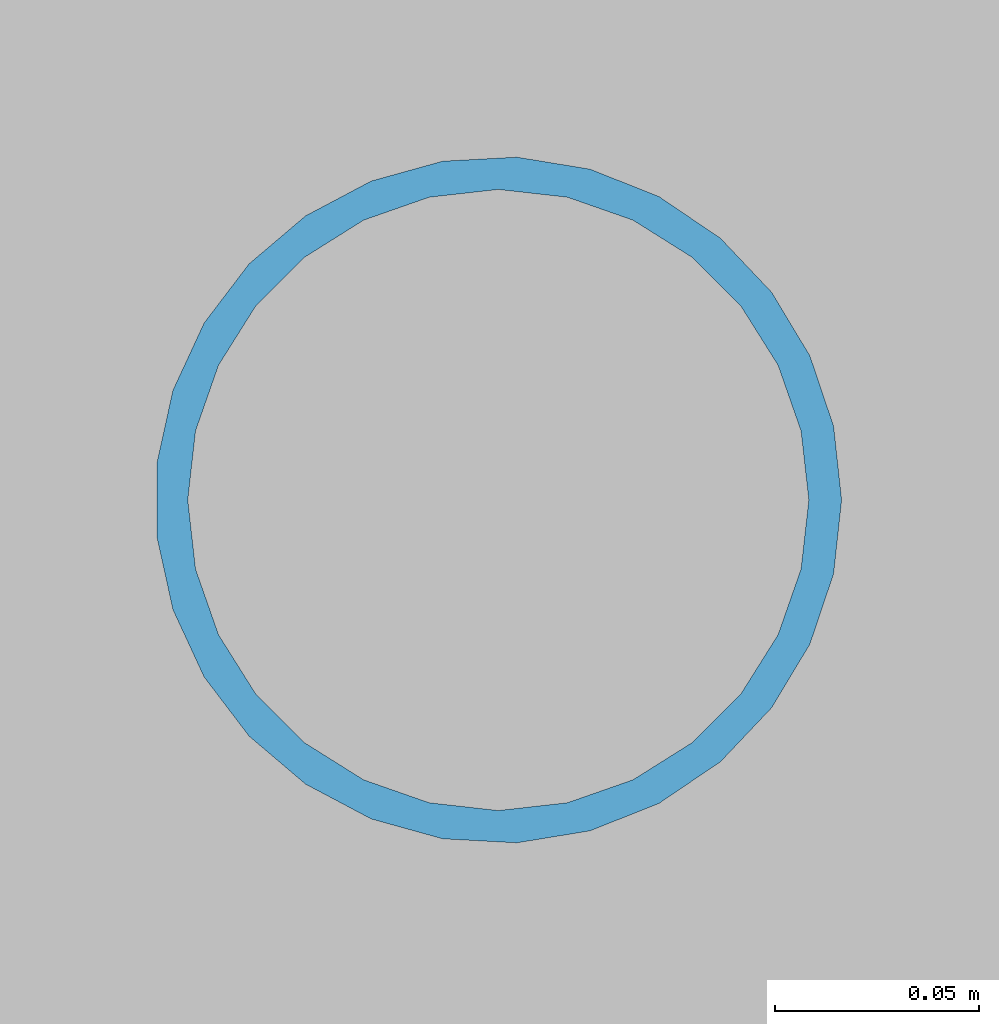
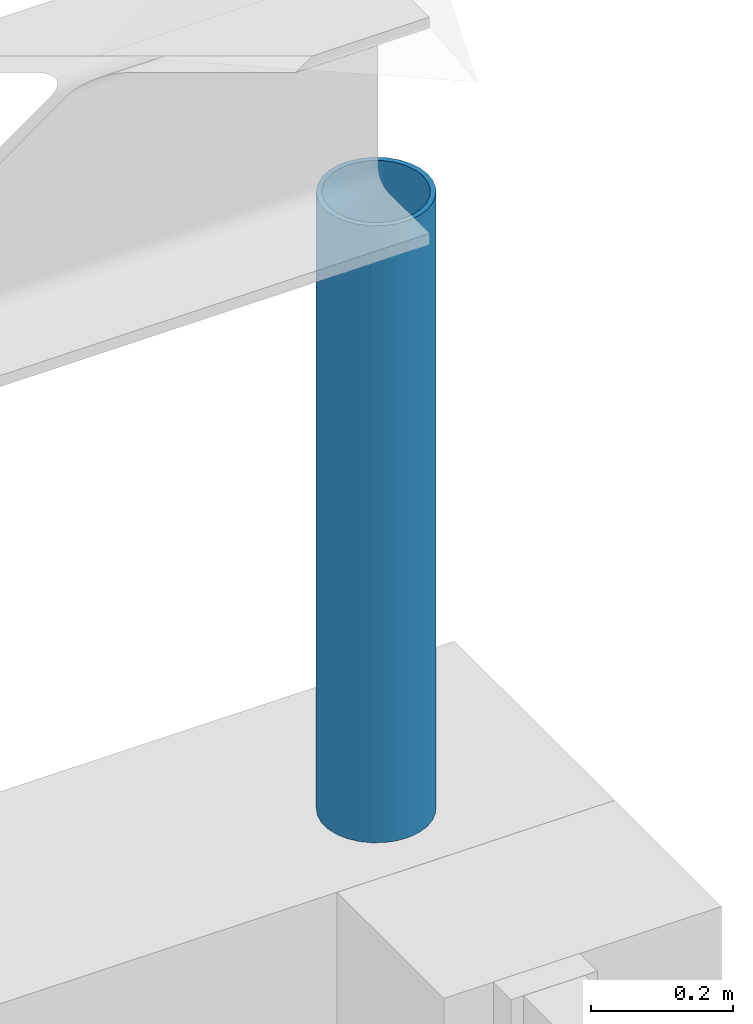
# One storey, part 11 of 94: 1 column.
"""IFC4 building model written with IfcOpenShell, lengths in metres."""

from ifc_helpers import new_model, si_unit, direction, frame, origin, origin_2d, place, context, subcontext, project, spatial, hollow_circle, extrude, material, material_profile, profile_set, type_object, element, save


model = new_model("IFC4")

# Units and contexts
model_context = context("Model", 3, precision=1e-05, world=origin(), true_north=direction((0.0, 1.0)))
body_context = subcontext(model_context, "Body", "Model", "MODEL_VIEW")
ifc_project = project(units=[si_unit("LENGTHUNIT", "METRE"), si_unit("AREAUNIT", "SQUARE_METRE"), si_unit("VOLUMEUNIT", "CUBIC_METRE"), si_unit("PLANEANGLEUNIT", "RADIAN"), si_unit("MASSUNIT", "GRAM", prefix="KILO")], contexts=[model_context])

# Site, building, storey
site_placement = place(None, origin())
site = spatial("IfcSite", under=ifc_project, at=site_placement, CompositionType="ELEMENT")
building_placement = place(site_placement, origin())
building = spatial("IfcBuilding", under=site, at=building_placement, Name="Yavir Park General Hospital", CompositionType="ELEMENT")
storey_placement = place(building_placement, frame((0.0, 0.0, 4.5)))
storey = spatial("IfcBuildingStorey", under=building, at=storey_placement, Name="L01", CompositionType="ELEMENT", Elevation=4.5)

# Column
ifc_material = material(Name="Steel S355", Category="steel")
ifc_material_profile = material_profile(ifc_material, hollow_circle(Radius=0.084228515625, WallThickness=0.008056640625, at=origin_2d()), Name="CHS168.3x8")
ifc_profile_set = profile_set([ifc_material_profile], Name="Steel S355")
column_type = type_object("IfcColumnType", Name="CHS 168.3x8 roof post", PredefinedType="COLUMN", material=ifc_profile_set)
column_placement = place(storey_placement, frame((67.199951171875, 75.60009765625, 3.300048828125), z_axis=(0.0, 0.0, 1.0), x_axis=(1.0, 0.0, 0.0)))
element("IfcColumn", 1, at=column_placement, inside=storey, type_object=column_type, Name="C:CLIN:P3672", PredefinedType="COLUMN", context=body_context, shape_type="SweptSolid", body=[
    extrude(hollow_circle(Radius=0.084228515625, WallThickness=0.008056640625, at=origin_2d()), origin(), (0.0, 0.0, 1.0), 1.057861328125),
])

save(model, "model.ifc")
